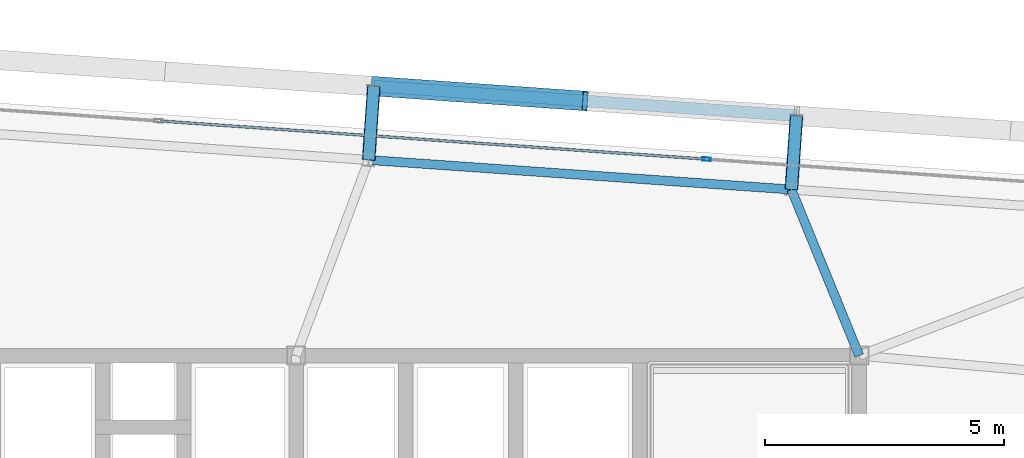
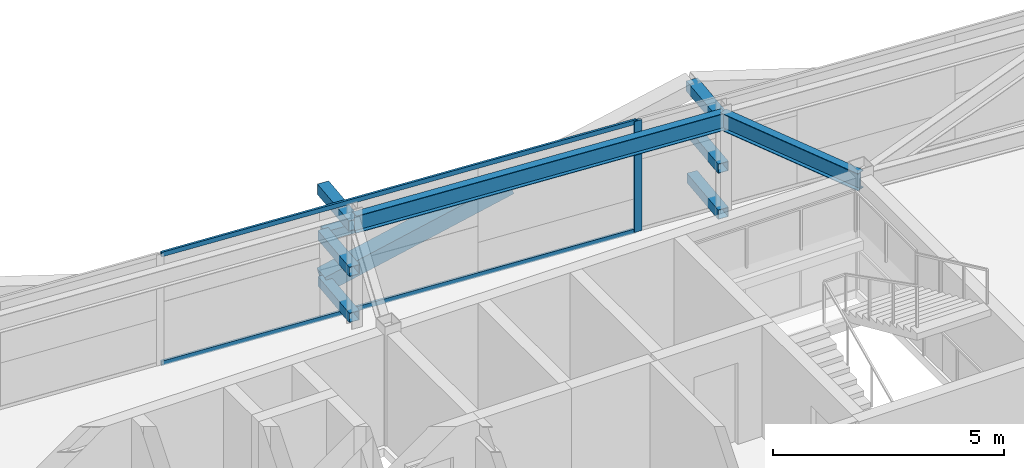
# One storey, part 23 of 39: 11 members, 2 beams, 1 element without a shape of its own.
"""IFC4 building model written with IfcOpenShell, lengths in metres."""

from ifc_helpers import new_model, si_unit, direction, frame, origin, origin_2d, place, context, subcontext, project, spatial, hollow_rectangle, i_section, extrude, source, transform, mapped, material, layer, layer_set, material_profile, profile_set, type_object, element, aggregate, save


model = new_model("IFC4")

# Units and contexts
model_context = context("Model", 3, precision=1e-05, world=origin(), true_north=direction((0.0, 1.0)))
body_context = subcontext(model_context, "Body", "Model", "MODEL_VIEW")
ifc_project = project(units=[si_unit("LENGTHUNIT", "METRE"), si_unit("AREAUNIT", "SQUARE_METRE"), si_unit("VOLUMEUNIT", "CUBIC_METRE"), si_unit("PLANEANGLEUNIT", "RADIAN"), si_unit("MASSUNIT", "GRAM", prefix="KILO")], contexts=[model_context])

# Site, building, storey
site_placement = place(None, origin())
site = spatial("IfcSite", under=ifc_project, at=site_placement, CompositionType="ELEMENT")
building_placement = place(site_placement, origin())
building = spatial("IfcBuilding", under=site, at=building_placement, Name="Taldren Reach Tower", CompositionType="ELEMENT")
storey_placement = place(building_placement, frame((0.0, 0.0, 155.050048828125)))
storey = spatial("IfcBuildingStorey", under=building, at=storey_placement, Name="L47", CompositionType="ELEMENT", Elevation=155.050048828125)

# Members
ifc_material_1 = material(Name="Steel Gr 450 (C450L0)", Category="steel")
ifc_material_profile_1 = material_profile(ifc_material_1, hollow_rectangle(XDim=0.27490234375, YDim=0.27490234375, WallThickness=0.00927734375, at=origin_2d()), Name="275x275x9.3SHS")
ifc_profile_set_1 = profile_set([ifc_material_profile_1], Name="Steel Gr 450 (C450L0)")
member_type_1 = type_object("IfcMemberType", Name="MB-TIE273", PredefinedType="STRUT", material=ifc_profile_set_1)
shared_shape_1 = source(origin(), body_context, "Body", "SweptSolid", [
    extrude(hollow_rectangle(XDim=0.27490234375, YDim=0.27490234375, WallThickness=0.00927734375, at=origin_2d()), origin(), (0.0, 0.0, 1.0), 1.550048828125),
])
for number, where, z_axis, x_axis, name in (
    (1, (40.7197265625, 36.100341796875, 2.64990234375), (0.06976957191, 0.99756313426, 0.0), (-0.99756313426, 0.06976957191, 0.0), "Exoskeleton diaphragm tie strut B3-N4 L47"),
    (2, (49.578125, 35.48095703125, 2.64990234375), (0.06976957191, 0.99756313426, 0.0), (-0.99756313426, 0.06976957191, 0.0), "Exoskeleton diaphragm tie strut B3-N5 L47"),
):
    element("IfcMember", number, at=place(storey_placement, frame(where, z_axis=z_axis, x_axis=x_axis)), inside=storey, type_object=member_type_1, Name=name, PredefinedType="STRUT", context=body_context, shape_type="MappedRepresentation", body=[
        mapped(shared_shape_1, transform((0.0, 0.0, 0.0), scale=1.0)),
    ])
ifc_material_2 = material(Name="Steel Gr 350 (C350L0)", Category="steel")
ifc_material_profile_2 = material_profile(ifc_material_2, hollow_rectangle(XDim=0.25, YDim=0.25, WallThickness=0.010009765625, at=origin_2d()), Name="250x250x10.0SHS")
ifc_profile_set_2 = profile_set([ifc_material_profile_2], Name="Steel Gr 350 (C350L0)")
member_type_2 = type_object("IfcMemberType", Name="MB-POST250", PredefinedType="POST", material=ifc_profile_set_2)
shared_shape_2 = source(origin(), body_context, "Body", "SweptSolid", [
    extrude(hollow_rectangle(XDim=0.25, YDim=0.25, WallThickness=0.010009765625, at=origin_2d()), origin(), (0.0, 0.0, 1.0), 1.550048828125),
])
for number, where, z_axis, x_axis, name in (
    (3, (40.7197265625, 36.100341796875, 0.219970703125), (0.06976957191, 0.99756313426, 0.0), (-0.99756313426, 0.06976957191, 0.0), "Exoskeleton base diaphragm tie strut B3-N4 L47"),
    (4, (49.578125, 35.48095703125, 0.219970703125), (0.06976957191, 0.99756313426, 0.0), (-0.99756313426, 0.06976957191, 0.0), "Exoskeleton base diaphragm tie strut B3-N5 L47"),
    (5, (40.7197265625, 36.100341796875, 1.43505859375), (0.06976957191, 0.99756313426, 0.0), (-0.99756313426, 0.06976957191, 0.0), "Exoskeleton mid-tier diaphragm tie B3-N4 L47"),
    (6, (49.578125, 35.48095703125, 1.43505859375), (0.06976957191, 0.99756313426, 0.0), (-0.99756313426, 0.06976957191, 0.0), "Exoskeleton mid-tier diaphragm tie B3-N5 L47"),
):
    element("IfcMember", number, at=place(storey_placement, frame(where, z_axis=z_axis, x_axis=x_axis)), inside=storey, type_object=member_type_2, Name=name, PredefinedType="POST", context=body_context, shape_type="MappedRepresentation", body=[
        mapped(shared_shape_2, transform((0.0, 0.0, 0.0), scale=1.0)),
    ])

# Beams
ifc_material_3 = material(Name="Steel Gr 350 (350PLUS)", Category="steel")
ifc_material_profile_3 = material_profile(ifc_material_3, i_section(OverallWidth=0.18994140625, OverallDepth=0.4541015625, WebThickness=0.008544921875, FlangeThickness=0.0126953125, at=origin_2d()), Name="460UB67.1")
ifc_profile_set_3 = profile_set([ifc_material_profile_3], Name="Steel Gr 350 (350PLUS)")
beam_type_1 = type_object("IfcBeamType", Name="SP-UB460B", PredefinedType="SPANDREL", material=ifc_profile_set_3)
shared_shape_3 = source(origin(), body_context, "Body", "SweptSolid", [
    extrude(i_section(OverallWidth=0.18994140625, OverallDepth=0.4541015625, WebThickness=0.008544921875, FlangeThickness=0.0126953125, at=origin_2d()), origin(), (0.0, 0.0, 1.0), 8.880126953125),
])
beam_1_placement = place(storey_placement, frame((49.578125, 35.48095703125, 2.702880859375), z_axis=(-0.997564479639, 0.069750333063, 0.0), x_axis=(-0.069750333063, -0.997564479639, 0.0)))
element("IfcBeam", 7, at=beam_1_placement, inside=storey, type_object=beam_type_1, Name="Perimeter spandrel B3 N5-N4 L47", PredefinedType="SPANDREL", context=body_context, shape_type="MappedRepresentation", body=[
    mapped(shared_shape_3, transform((0.0, 0.0, 0.0), scale=1.0)),
])
ifc_material_profile_4 = material_profile(ifc_material_3, i_section(OverallWidth=0.19091796875, OverallDepth=0.4599609375, WebThickness=0.010009765625, FlangeThickness=0.01611328125, at=origin_2d()), Name="460UB82.1")
ifc_profile_set_4 = profile_set([ifc_material_profile_4], Name="Steel Gr 350 (350PLUS)")
beam_type_2 = type_object("IfcBeamType", Name="BM-UB460A", PredefinedType="BEAM", material=ifc_profile_set_4)
shared_shape_4 = source(origin(), body_context, "Body", "SweptSolid", [
    extrude(i_section(OverallWidth=0.19091796875, OverallDepth=0.4599609375, WebThickness=0.010009765625, FlangeThickness=0.01611328125, at=origin_2d()), origin(), (0.0, 0.0, 1.0), 3.76025390625),
])
beam_2_placement = place(storey_placement, frame((51.0, 32.0, 2.699951171875), z_axis=(-0.37814232545, 0.925747471886, 0.0), x_axis=(-0.925747471886, -0.37814232545, 0.0)))
element("IfcBeam", 8, at=beam_2_placement, inside=storey, type_object=beam_type_2, Name="Primary floor girder B3-N5 L47", PredefinedType="BEAM", context=body_context, shape_type="MappedRepresentation", body=[
    mapped(shared_shape_4, transform((0.0, 0.0, 0.0), scale=1.0)),
])

# Members
shared_shape_5 = source(origin(), body_context, "Body", "SweptSolid", [
    extrude(hollow_rectangle(XDim=0.25, YDim=0.25, WallThickness=0.010009765625, at=origin_2d()), origin(), (0.0, 0.0, 1.0), 8.880126953125),
])
member_1_placement = place(storey_placement, frame((40.827880859375, 37.646728515625, 1.43505859375), z_axis=(0.997564479639, -0.069750333063, 0.0), x_axis=(0.069750333063, 0.997564479639, 0.0)))
element("IfcMember", 9, at=member_1_placement, inside=storey, type_object=member_type_2, Name="Exoskeleton mid-height ring chord B3-N4 L47", PredefinedType="POST", context=body_context, shape_type="MappedRepresentation", body=[
    mapped(shared_shape_5, transform((0.0, 0.0, 0.0), scale=1.0)),
])
ifc_material_profile_5 = material_profile(ifc_material_1, hollow_rectangle(XDim=0.409912109375, YDim=0.409912109375, WallThickness=0.01611328125, at=origin_2d()), Name="410x410x16.0SHS")
ifc_profile_set_5 = profile_set([ifc_material_profile_5], Name="Steel Gr 450 (C450L0)")
member_type_3 = type_object("IfcMemberType", Name="MB-EXO406", PredefinedType="BRACE", material=ifc_profile_set_5)
shared_shape_6 = source(origin(), body_context, "Body", "SweptSolid", [
    extrude(hollow_rectangle(XDim=0.409912109375, YDim=0.409912109375, WallThickness=0.01611328125, at=origin_2d()), origin(), (0.0, 0.0, 1.0), 4.603271484375),
])
member_2_placement = place(storey_placement, frame((40.827880859375, 37.646728515625, 0.219970703125), z_axis=(0.962182351074, -0.067302910567, 0.263961060594), x_axis=(0.06977769246, 0.997562566276, 0.0)))
element("IfcMember", 10, at=member_2_placement, inside=storey, type_object=member_type_3, Name="Exoskeleton Diagrid Brace B3-N4 L47", PredefinedType="BRACE", context=body_context, shape_type="MappedRepresentation", body=[
    mapped(shared_shape_6, transform((0.0, 0.0, 0.0), scale=1.0)),
])

# Curtain wall, members
ifc_material_4 = material(Name="Aluminium and Low-E Glass Unitised System", Category="aluminium")
ifc_layer = layer(ifc_material_4, 0.159912109375)
ifc_layer_set = layer_set([ifc_layer], Name="Aluminium and Low-E Glass Unitised System")
curtain_wall_type = type_object("IfcCurtainWallType", Name="CW-SYS-4", PredefinedType="NOTDEFINED", material=ifc_layer_set)
curtain_wall_placement = place(storey_placement, origin())
curtain_wall = element("IfcCurtainWall", 11, at=curtain_wall_placement, inside=storey, type_object=curtain_wall_type, Name="Unitised curtain wall CW-L47-N", PredefinedType="NOTDEFINED")
ifc_material_5 = material(Name="Anodised Aluminium 6063-T6", Category="aluminium")
ifc_material_profile_6 = material_profile(ifc_material_5, hollow_rectangle(XDim=0.054931640625, YDim=0.1201171875, WallThickness=0.0029296875, at=origin_2d()), Name="ALU-120x55x3RHS")
ifc_profile_set_6 = profile_set([ifc_material_profile_6], Name="Anodised Aluminium 6063-T6")
member_type_4 = type_object("IfcMemberType", Name="CW-TRN-135", PredefinedType="USERDEFINED", material=ifc_profile_set_6)
shared_shape_7 = source(origin(), body_context, "Body", "SweptSolid", [
    extrude(hollow_rectangle(XDim=0.054931640625, YDim=0.1201171875, WallThickness=0.0029296875, at=origin_2d()), origin(), (0.0, 0.0, 1.0), 11.429931640625),
])
member_3_placement = place(storey_placement, frame((47.76318359375, 36.119140625, 0.02734375), z_axis=(-0.997563740938, 0.069760897114, 0.0), x_axis=(-0.069760897114, -0.997563740938, 0.0)))
member_3 = element("IfcMember", 12, at=member_3_placement, type_object=member_type_4, Name="CW-4 transom 2.1", ObjectType="TRANSOM", PredefinedType="USERDEFINED", context=body_context, shape_type="MappedRepresentation", body=[
    mapped(shared_shape_7, transform((0.0, 0.0, 0.0), scale=1.0)),
])
member_4_placement = place(storey_placement, frame((47.76318359375, 36.119140625, 2.90234375), z_axis=(-0.997563740938, 0.069760897114, 0.0), x_axis=(-0.069760897114, -0.997563740938, 0.0)))
member_4 = element("IfcMember", 13, at=member_4_placement, type_object=member_type_4, Name="CW-4 transom 2.2", ObjectType="TRANSOM", PredefinedType="USERDEFINED", context=body_context, shape_type="MappedRepresentation", body=[
    mapped(shared_shape_7, transform((0.0, 0.0, 0.0), scale=1.0)),
])
ifc_material_profile_7 = material_profile(ifc_material_5, hollow_rectangle(XDim=0.070068359375, YDim=0.179931640625, WallThickness=0.00390625, at=origin_2d()), Name="ALU-180x70x4RHS")
ifc_profile_set_7 = profile_set([ifc_material_profile_7], Name="Anodised Aluminium 6063-T6")
member_type_5 = type_object("IfcMemberType", Name="CW-MUL-180", PredefinedType="MULLION", material=ifc_profile_set_7)
shared_shape_8 = source(origin(), body_context, "Body", "SweptSolid", [
    extrude(hollow_rectangle(XDim=0.070068359375, YDim=0.179931640625, WallThickness=0.00390625, at=origin_2d()), origin(), (0.0, 0.0, 1.0), 2.929931640625),
])
member_5_placement = place(storey_placement, frame((47.798095703125, 36.11669921875, 0.0), z_axis=(0.0, 0.0, 1.0), x_axis=(-0.06975651593, -0.99756404731, 0.0)))
member_5 = element("IfcMember", 14, at=member_5_placement, type_object=member_type_5, Name="CW-4 mullion 2", PredefinedType="MULLION", context=body_context, shape_type="MappedRepresentation", body=[
    mapped(shared_shape_8, transform((0.0, 0.0, 0.0), scale=1.0)),
])
aggregate(curtain_wall, [member_5, member_3, member_4])

save(model, "model.ifc")
